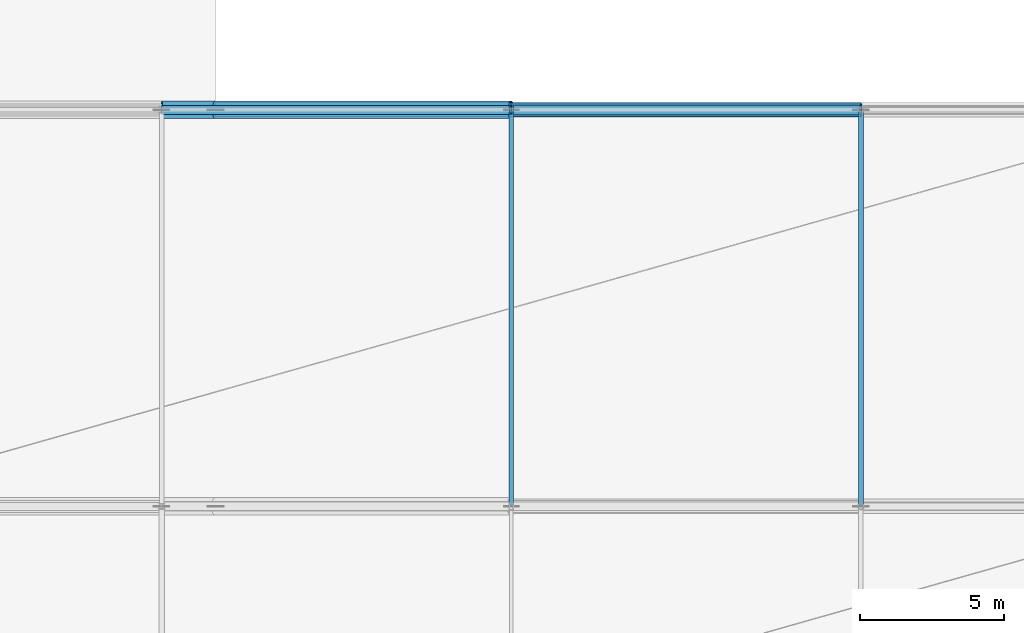
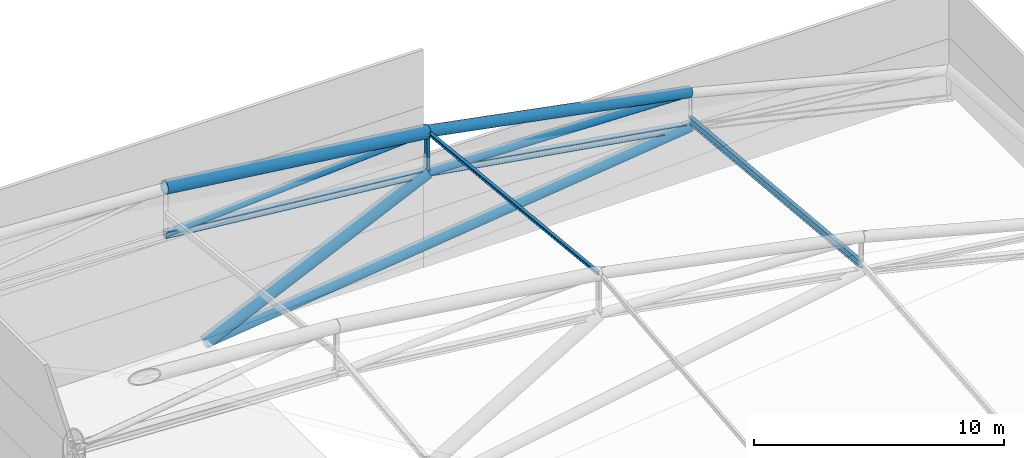
# One storey, part 25 of 36: 11 members.
"""IFC4 building model written with IfcOpenShell, lengths in metres."""

from ifc_helpers import new_model, si_unit, direction, frame, origin, origin_2d, place, context, subcontext, project, spatial, hollow_rectangle, hollow_circle, i_section, extrude, material, material_profile, profile_set, type_object, element, save


model = new_model("IFC4")

# Units and contexts
model_context = context("Model", 3, precision=1e-05, world=origin(), true_north=direction((0.0, 1.0)))
body_context = subcontext(model_context, "Body", "Model", "MODEL_VIEW")
ifc_project = project(units=[si_unit("LENGTHUNIT", "METRE"), si_unit("AREAUNIT", "SQUARE_METRE"), si_unit("VOLUMEUNIT", "CUBIC_METRE"), si_unit("PLANEANGLEUNIT", "RADIAN"), si_unit("MASSUNIT", "GRAM", prefix="KILO")], contexts=[model_context])

# Site, building, storey
site_placement = place(None, origin())
site = spatial("IfcSite", under=ifc_project, at=site_placement, CompositionType="ELEMENT")
building_placement = place(site_placement, origin())
building = spatial("IfcBuilding", under=site, at=building_placement, Name="Linyun Crest Stadium", CompositionType="ELEMENT")
storey_placement = place(building_placement, frame((0.0, 0.0, 31.60009765625)))
storey = spatial("IfcBuildingStorey", under=building, at=storey_placement, Name="RF", CompositionType="ELEMENT", Elevation=31.60009765625)

# Members
ifc_material_1 = material(Name="Steel Q355C", Category="steel")
ifc_material_profile_1 = material_profile(ifc_material_1, i_section(OverallWidth=0.14990234375, OverallDepth=0.14990234375, WebThickness=0.007080078125, FlangeThickness=0.010009765625, at=origin_2d()), Name="HW 150x150")
ifc_profile_set_1 = profile_set([ifc_material_profile_1], Name="Steel Q355C")
member_type_1 = type_object("IfcMemberType", Name="AR01", PredefinedType="USERDEFINED", material=ifc_profile_set_1)
member_1_placement = place(storey_placement, frame((-59.75, 29.625, 7.8759765625), z_axis=(0.0, 0.994841166463, -0.101444829883), x_axis=(-1.0, 0.0, 0.0)))
element("IfcMember", 1, at=member_1_placement, inside=storey, type_object=member_type_1, Name="Art Nouveau canopy arch rib AR01 V1 180", ObjectType="ARCH RIB", PredefinedType="USERDEFINED", context=body_context, shape_type="SweptSolid", body=[
    extrude(i_section(OverallWidth=0.14990234375, OverallDepth=0.14990234375, WebThickness=0.007080078125, FlangeThickness=0.010009765625, at=origin_2d()), origin(), (0.0, 0.0, 1.0), 13.8212890625),
])
ifc_material_2 = material(Name="Steel Q355B", Category="steel")
ifc_material_profile_2 = material_profile(ifc_material_2, i_section(OverallWidth=0.175048828125, OverallDepth=0.35009765625, WebThickness=0.007080078125, FlangeThickness=0.010986328125, at=origin_2d()), Name="HN 350x175")
ifc_profile_set_2 = profile_set([ifc_material_profile_2], Name="Steel Q355B")
member_type_2 = type_object("IfcMemberType", Name="PR02", PredefinedType="PURLIN", material=ifc_profile_set_2)
member_2_placement = place(storey_placement, frame((-47.625, 29.625, 4.079833984375), z_axis=(0.0, 0.995867658033, -0.090816340406), x_axis=(-1.0, 0.0, 0.0)))
element("IfcMember", 2, at=member_2_placement, inside=storey, type_object=member_type_2, Name="Roof canopy purlin PR02 V1 178", PredefinedType="PURLIN", context=body_context, shape_type="SweptSolid", body=[
    extrude(i_section(OverallWidth=0.175048828125, OverallDepth=0.35009765625, WebThickness=0.007080078125, FlangeThickness=0.010986328125, at=origin_2d()), origin(), (0.0, 0.0, 1.0), 13.80712890625),
])
ifc_material_3 = material(Name="Steel Q420C", Category="steel")
ifc_material_profile_3 = material_profile(ifc_material_3, hollow_circle(Radius=0.25390625, WallThickness=0.02490234375, at=origin_2d()), Name="CHS 508x25")
ifc_profile_set_3 = profile_set([ifc_material_profile_3], Name="Steel Q420C")
member_type_3 = type_object("IfcMemberType", Name="TC01", PredefinedType="CHORD", material=ifc_profile_set_3)
member_3_placement = place(storey_placement, frame((-59.75, 43.375, 6.473876953125), z_axis=(0.98228694013, 0.0, -0.187382942791), x_axis=(0.0, 1.0, 0.0)))
element("IfcMember", 3, at=member_3_placement, inside=storey, type_object=member_type_3, Name="Roof truss top chord TC01 V1 143", PredefinedType="CHORD", context=body_context, shape_type="SweptSolid", body=[
    extrude(hollow_circle(Radius=0.25390625, WallThickness=0.02490234375, at=origin_2d()), origin(), (0.0, 0.0, 1.0), 12.34375),
])
member_4_placement = place(storey_placement, frame((-70.0, 43.375, -0.235107421875), z_axis=(0.992628408307, 0.0, 0.121197537196), x_axis=(0.0, 1.0, 0.0)))
element("IfcMember", 4, at=member_4_placement, inside=storey, type_object=member_type_3, Name="Roof arch forward V-strut TC01 V1 152", PredefinedType="CHORD", context=body_context, shape_type="SweptSolid", body=[
    extrude(hollow_circle(Radius=0.25390625, WallThickness=0.02490234375, at=origin_2d()), origin(), (0.0, 0.0, 1.0), 22.541259765625),
])
ifc_material_4 = material(Name="Steel Q420C", Category="steel")
ifc_material_profile_4 = material_profile(ifc_material_4, hollow_circle(Radius=0.304931640625, WallThickness=0.030029296875, at=origin_2d()), Name="CHS 610x30")
ifc_profile_set_4 = profile_set([ifc_material_profile_4], Name="Steel Q420C")
member_type_4 = type_object("IfcMemberType", Name="TC02", PredefinedType="CHORD", material=ifc_profile_set_4)
member_5_placement = place(storey_placement, frame((-71.875, 43.375, 7.98681640625), z_axis=(0.992304903458, 0.0, -0.123818328905), x_axis=(0.0, 1.0, 0.0)))
element("IfcMember", 5, at=member_5_placement, inside=storey, type_object=member_type_4, Name="Roof truss top chord TC02 V1 139", PredefinedType="CHORD", context=body_context, shape_type="SweptSolid", body=[
    extrude(hollow_circle(Radius=0.304931640625, WallThickness=0.030029296875, at=origin_2d()), origin(), (0.0, 0.0, 1.0), 12.218994140625),
])
member_6_placement = place(storey_placement, frame((-70.0, 43.375, -0.235107421875), z_axis=(0.907887218717, 0.0, 0.419214501287), x_axis=(0.0, 1.0, 0.0)))
element("IfcMember", 6, at=member_6_placement, inside=storey, type_object=member_type_4, Name="Roof arch inclined support strut TC02 V1 151", PredefinedType="CHORD", context=body_context, shape_type="SweptSolid", body=[
    extrude(hollow_circle(Radius=0.304931640625, WallThickness=0.030029296875, at=origin_2d()), origin(), (0.0, 0.0, 1.0), 11.2900390625),
])
ifc_material_5 = material(Name="Steel Q355C", Category="steel")
ifc_material_profile_5 = material_profile(ifc_material_5, i_section(OverallWidth=0.300048828125, OverallDepth=0.300048828125, WebThickness=0.010009765625, FlangeThickness=0.014892578125, at=origin_2d()), Name="HW 300x300")
ifc_profile_set_5 = profile_set([ifc_material_profile_5], Name="Steel Q355C")
member_type_5 = type_object("IfcMemberType", Name="TC03", PredefinedType="CHORD", material=ifc_profile_set_5)
member_7_placement = place(storey_placement, frame((-71.875, 43.375, 5.698974609375), z_axis=(0.995128816625, 0.0, -0.098583154353), x_axis=(0.0, 1.0, 0.0)))
element("IfcMember", 7, at=member_7_placement, inside=storey, type_object=member_type_5, Name="Roof truss bottom chord TC03 V1 140", PredefinedType="CHORD", context=body_context, shape_type="SweptSolid", body=[
    extrude(i_section(OverallWidth=0.300048828125, OverallDepth=0.300048828125, WebThickness=0.010009765625, FlangeThickness=0.014892578125, at=origin_2d()), origin(), (0.0, 0.0, 1.0), 12.184326171875),
])
member_8_placement = place(storey_placement, frame((-59.75, 43.375, 4.497802734375), z_axis=(0.986654695276, 0.0, -0.162826632621), x_axis=(0.0, 1.0, 0.0)))
element("IfcMember", 8, at=member_8_placement, inside=storey, type_object=member_type_5, Name="Roof truss bottom chord TC03 V1 144", PredefinedType="CHORD", context=body_context, shape_type="SweptSolid", body=[
    extrude(i_section(OverallWidth=0.300048828125, OverallDepth=0.300048828125, WebThickness=0.010009765625, FlangeThickness=0.014892578125, at=origin_2d()), origin(), (0.0, 0.0, 1.0), 12.2890625),
])
ifc_material_6 = material(Name="Steel Q355C", Category="steel")
ifc_material_profile_6 = material_profile(ifc_material_6, hollow_circle(Radius=0.16259765625, WallThickness=0.01611328125, at=origin_2d()), Name="CHS 325x16")
ifc_profile_set_6 = profile_set([ifc_material_profile_6], Name="Steel Q355C")
member_type_6 = type_object("IfcMemberType", Name="TD02", PredefinedType="BRACE", material=ifc_profile_set_6)
member_9_placement = place(storey_placement, frame((-71.875, 43.375, 5.698974609375), z_axis=(0.997964024434, 0.0, 0.063779353527), x_axis=(0.0, 1.0, 0.0)))
element("IfcMember", 9, at=member_9_placement, inside=storey, type_object=member_type_6, Name="Roof truss diagonal TD02 V1 141", PredefinedType="BRACE", context=body_context, shape_type="SweptSolid", body=[
    extrude(hollow_circle(Radius=0.16259765625, WallThickness=0.01611328125, at=origin_2d()), origin(), (0.0, 0.0, 1.0), 12.149658203125),
])
ifc_material_7 = material(Name="Steel Q420C", Category="steel")
ifc_material_profile_7 = material_profile(ifc_material_7, hollow_circle(Radius=0.202880859375, WallThickness=0.02001953125, at=origin_2d()), Name="CHS 406x20")
ifc_profile_set_7 = profile_set([ifc_material_profile_7], Name="Steel Q420C")
member_type_7 = type_object("IfcMemberType", Name="TD03", PredefinedType="BRACE", material=ifc_profile_set_7)
member_10_placement = place(storey_placement, frame((-59.75, 43.375, 4.497802734375), z_axis=(0.999614172316, 0.0, -0.027776005916), x_axis=(0.0, 1.0, 0.0)))
element("IfcMember", 10, at=member_10_placement, inside=storey, type_object=member_type_7, Name="Roof truss diagonal TD03 V1 145", PredefinedType="BRACE", context=body_context, shape_type="SweptSolid", body=[
    extrude(hollow_circle(Radius=0.202880859375, WallThickness=0.02001953125, at=origin_2d()), origin(), (0.0, 0.0, 1.0), 12.129638671875),
])
ifc_material_8 = material(Name="Steel Q355C", Category="steel")
ifc_material_profile_8 = material_profile(ifc_material_8, hollow_rectangle(XDim=0.14990234375, YDim=0.25, WallThickness=0.010009765625, at=origin_2d()), Name="RHS 250x150x10")
ifc_profile_set_8 = profile_set([ifc_material_profile_8], Name="Steel Q355C")
member_type_8 = type_object("IfcMemberType", Name="TV03", PredefinedType="STRUT", material=ifc_profile_set_8)
member_11_placement = place(storey_placement, frame((-59.75, 43.375, 4.497802734375), z_axis=(0.0, 0.0, 1.0), x_axis=(1.0, 0.0, 0.0)))
element("IfcMember", 11, at=member_11_placement, inside=storey, type_object=member_type_8, Name="Roof vertical strut TV03 V1 146", PredefinedType="STRUT", context=body_context, shape_type="SweptSolid", body=[
    extrude(hollow_rectangle(XDim=0.14990234375, YDim=0.25, WallThickness=0.010009765625, at=origin_2d()), origin(), (0.0, 0.0, 1.0), 1.97607421875),
])

save(model, "model.ifc")
